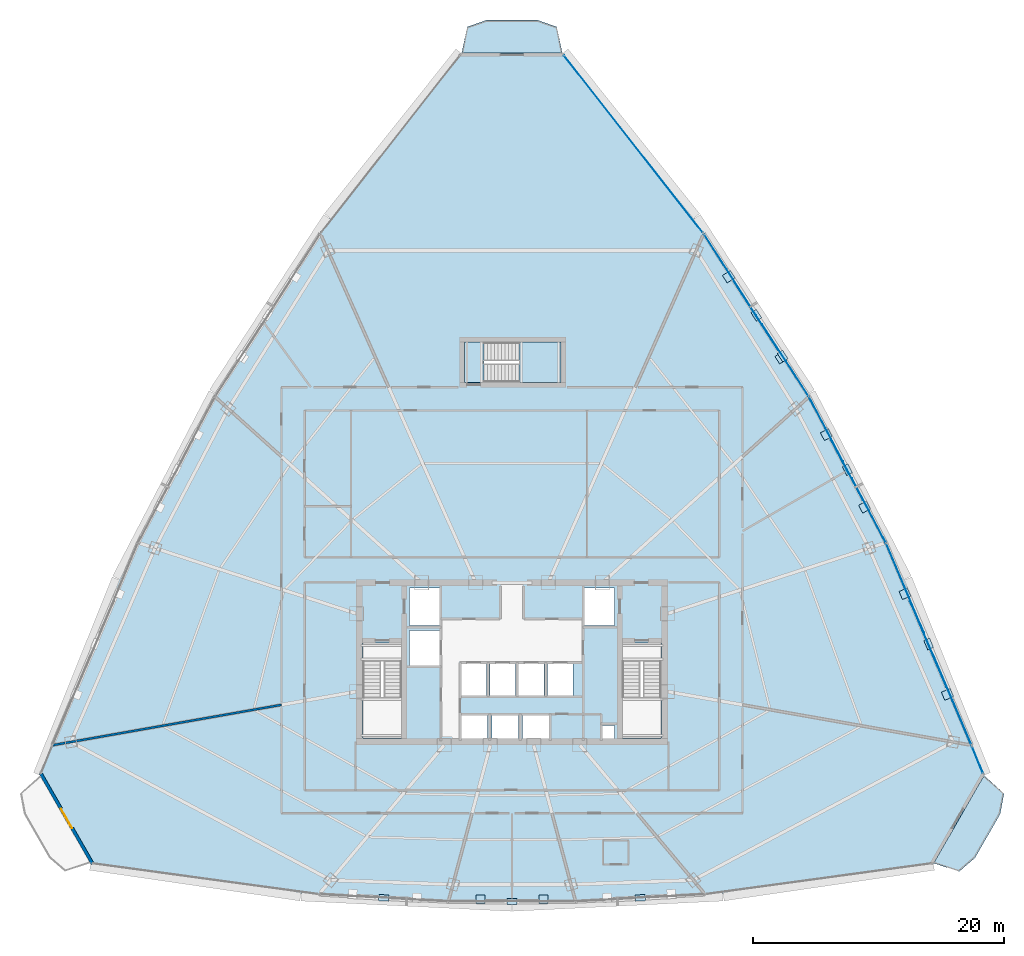
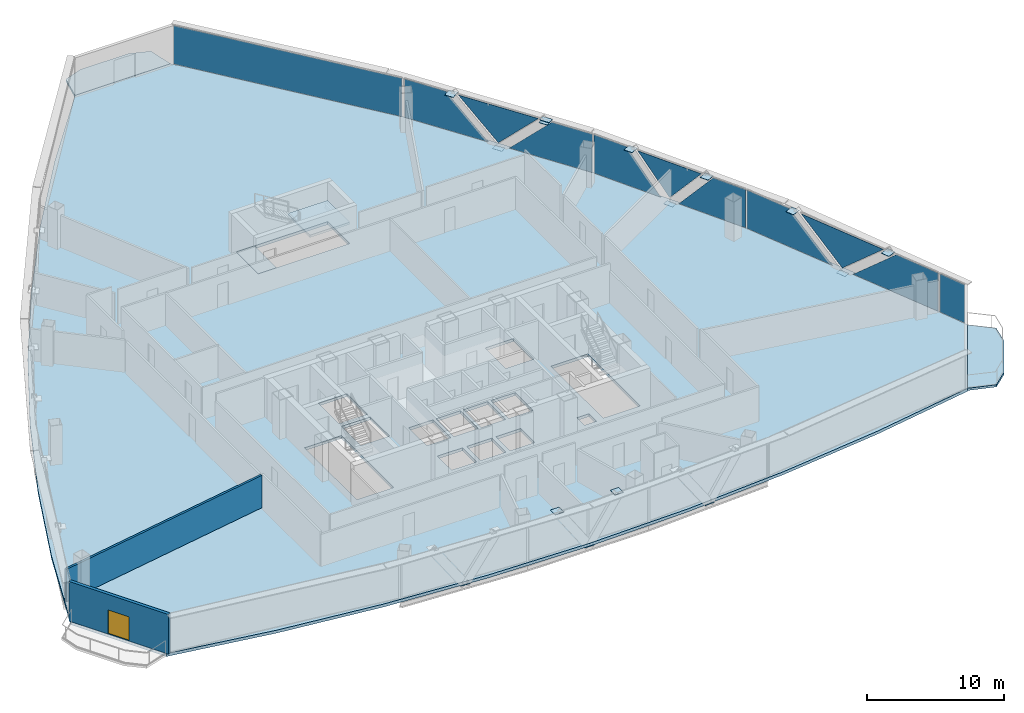
# One storey, part 28 of 36: 26 plates, 5 slabs, 2 walls, 1 door, 1 opening, 6 elements without a shape of their own.
"""IFC4 building model written with IfcOpenShell, lengths in metres."""

from ifc_helpers import new_model, si_unit, direction, frame, frame_2d, origin, origin_with_axes, origin_2d, place, context, subcontext, project, spatial, polyline, rectangle, outline, extrude, source, transform, mapped, material, layer, layer_set, type_object, element, fill, aggregate, save


model = new_model("IFC4")

# Units and contexts
model_context = context("Model", 3, precision=1e-05, world=origin(), true_north=direction((0.0, 1.0)))
body_context = subcontext(model_context, "Body", "Model", "MODEL_VIEW")
ifc_project = project(units=[si_unit("LENGTHUNIT", "METRE"), si_unit("AREAUNIT", "SQUARE_METRE"), si_unit("VOLUMEUNIT", "CUBIC_METRE"), si_unit("PLANEANGLEUNIT", "RADIAN"), si_unit("MASSUNIT", "GRAM", prefix="KILO"), si_unit("THERMODYNAMICTEMPERATUREUNIT", "KELVIN"), si_unit("POWERUNIT", "WATT")], contexts=[model_context])

# Site, building, storey
site_placement = place(None, origin())
site = spatial("IfcSite", under=ifc_project, at=site_placement, CompositionType="ELEMENT")
building_placement = place(site_placement, origin())
building = spatial("IfcBuilding", under=site, at=building_placement, Name="Yunzhuo Pagoda Commons", CompositionType="ELEMENT")
storey_placement = place(building_placement, frame((0.0, 0.0, 215.159912109375)))
storey = spatial("IfcBuildingStorey", under=building, at=storey_placement, Name="L54", CompositionType="ELEMENT", Elevation=215.159912109375)

# Curtain wall, plates
ifc_material_1 = material(Name="Anodized aluminium 6063-T6", Category="aluminium")
ifc_layer_1 = layer(ifc_material_1, 0.14990234375)
ifc_layer_set_1 = layer_set([ifc_layer_1], Name="Anodized aluminium 6063-T6")
curtain_wall_type = type_object("IfcCurtainWallType", Name="CW-MID Mid-Zone Ribbon Curtain Wall", PredefinedType="NOTDEFINED", material=ifc_layer_set_1)
curtain_wall_1_placement = place(storey_placement, origin())
curtain_wall_1 = element("IfcCurtainWall", 1, at=curtain_wall_1_placement, inside=storey, type_object=curtain_wall_type, Name="L54 curtain wall CW-L54-F2B2", PredefinedType="NOTDEFINED")
ifc_material_2 = material(Name="Tempered low-e double glazing", Category="glass")
ifc_layer_2 = layer(ifc_material_2, 0.028076171875)
ifc_layer_set_2 = layer_set([ifc_layer_2], Name="Tempered low-e double glazing")
plate_type_1 = type_object("IfcPlateType", Name="CW-MID-P Low-E Double Glazing 28", PredefinedType="CURTAIN_PANEL", material=ifc_layer_set_2)
plate_1_placement = place(storey_placement, frame((83.1259765625, 30.859619140625, 1.760009765625), z_axis=(0.920979205321, 0.389611734123, 0.0), x_axis=(-0.389611734123, 0.920979205321, 0.0)))
plate_1 = element("IfcPlate", 2, at=plate_1_placement, type_object=plate_type_1, Name="CW panel 1.1 lite 1", PredefinedType="CURTAIN_PANEL", context=body_context, shape_type="SweptSolid", body=[
    extrude(outline(polyline([(-3.88330078125, -1.705078125), (3.88330078125, -1.705078125), (-0.07470703125, 1.705078125), (-3.88330078125, 1.705078125), (-3.88330078125, -1.705078125)])), origin(), (0.0, 0.0, 1.0), 0.028076171875),
])
plate_2_placement = place(storey_placement, frame((81.216064453125, 35.297119140625, 1.853271484375), z_axis=(0.920979205321, 0.389611734123, 0.0), x_axis=(-0.389611734123, 0.920979205321, 0.0)))
plate_2 = element("IfcPlate", 3, at=plate_2_placement, type_object=plate_type_1, Name="CW panel 1.1 lite 2", PredefinedType="CURTAIN_PANEL", context=body_context, shape_type="SweptSolid", body=[
    extrude(outline(polyline([(-3.7412109375, 1.61181640625), (0.0, -1.61181640625), (3.7412109375, 1.61181640625), (-3.7412109375, 1.61181640625)])), origin(), (0.0, 0.0, 1.0), 0.028076171875),
])
plate_3_placement = place(storey_placement, frame((79.361572265625, 39.758056640625, 1.760009765625), z_axis=(0.920979205321, 0.389611734123, 0.0), x_axis=(-0.389611734123, 0.920979205321, 0.0)))
plate_3 = element("IfcPlate", 4, at=plate_3_placement, type_object=plate_type_1, Name="CW panel 1.1 lite 3", PredefinedType="CURTAIN_PANEL", context=body_context, shape_type="SweptSolid", body=[
    extrude(outline(polyline([(-3.88330078125, -1.705078125), (3.88330078125, -1.705078125), (3.88330078125, 1.705078125), (0.074462890625, 1.705078125), (-3.88330078125, -1.705078125)])), origin(), (0.0, 0.0, 1.0), 0.028076171875),
])
aggregate(curtain_wall_1, [plate_1, plate_2, plate_3])

curtain_wall_2_placement = place(storey_placement, origin())
curtain_wall_2 = element("IfcCurtainWall", 5, at=curtain_wall_2_placement, inside=storey, type_object=curtain_wall_type, Name="L54 curtain wall CW-L54-F2B3", PredefinedType="NOTDEFINED")
plate_4_placement = place(storey_placement, frame((76.458984375, 45.982421875, 1.760009765625), z_axis=(0.884704570243, 0.466152146184, 0.0), x_axis=(-0.466152146184, 0.884704570243, 0.0)))
plate_4 = element("IfcPlate", 6, at=plate_4_placement, type_object=plate_type_1, Name="CW panel 1.1 lite 1", PredefinedType="CURTAIN_PANEL", context=body_context, shape_type="SweptSolid", body=[
    extrude(outline(polyline([(-2.8720703125, -1.705078125), (2.8720703125, -1.705078125), (-0.0966796875, 1.705078125), (-2.8720703125, 1.705078125), (-2.8720703125, -1.705078125)])), origin(), (0.0, 0.0, 1.0), 0.028076171875),
])
plate_5_placement = place(storey_placement, frame((74.73095703125, 49.197509765625, 1.89208984375), z_axis=(0.884704570243, 0.466152146184, 0.0), x_axis=(-0.466152146184, 0.884704570243, 0.0)))
plate_5 = element("IfcPlate", 7, at=plate_5_placement, type_object=plate_type_1, Name="CW panel 1.1 lite 2", PredefinedType="CURTAIN_PANEL", context=body_context, shape_type="SweptSolid", body=[
    extrude(outline(polyline([(-2.7392578125, 1.572998046875), (0.0, -1.572998046875), (2.7392578125, 1.572998046875), (-2.7392578125, 1.572998046875)])), origin(), (0.0, 0.0, 1.0), 0.028076171875),
])
plate_6_placement = place(storey_placement, frame((73.05615234375, 52.440673828125, 1.760009765625), z_axis=(0.884704570243, 0.466152146184, 0.0), x_axis=(-0.466152146184, 0.884704570243, 0.0)))
plate_6 = element("IfcPlate", 8, at=plate_6_placement, type_object=plate_type_1, Name="CW panel 1.1 lite 3", PredefinedType="CURTAIN_PANEL", context=body_context, shape_type="SweptSolid", body=[
    extrude(outline(polyline([(-2.8720703125, -1.705078125), (2.8720703125, -1.705078125), (2.8720703125, 1.705078125), (0.096923828125, 1.705078125), (-2.8720703125, -1.705078125)])), origin(), (0.0, 0.0, 1.0), 0.028076171875),
])
aggregate(curtain_wall_2, [plate_4, plate_5, plate_6])

curtain_wall_3_placement = place(storey_placement, origin())
curtain_wall_3 = element("IfcCurtainWall", 9, at=curtain_wall_3_placement, inside=storey, type_object=curtain_wall_type, Name="L54 curtain wall CW-L54-F2B4", PredefinedType="NOTDEFINED")
plate_7_placement = place(storey_placement, frame((69.807861328125, 57.94921875, 1.760009765625), z_axis=(0.840138139518, 0.542372479508, 0.0), x_axis=(-0.542372479508, 0.840138139518, 0.0)))
plate_7 = element("IfcPlate", 10, at=plate_7_placement, type_object=plate_type_1, Name="CW panel 1.1 lite 1", PredefinedType="CURTAIN_PANEL", context=body_context, shape_type="SweptSolid", body=[
    extrude(outline(polyline([(-3.410400390625, -1.705078125), (3.410400390625, -1.705078125), (-0.084228515625, 1.705078125), (-3.410400390625, 1.705078125), (-3.410400390625, -1.705078125)])), origin(), (0.0, 0.0, 1.0), 0.028076171875),
])
plate_8_placement = place(storey_placement, frame((67.462890625, 61.5263671875, 1.8681640625), z_axis=(0.840138139518, 0.542372479508, 0.0), x_axis=(-0.542372479508, 0.840138139518, 0.0)))
plate_8 = element("IfcPlate", 11, at=plate_8_placement, type_object=plate_type_1, Name="CW panel 1.1 lite 2", PredefinedType="CURTAIN_PANEL", context=body_context, shape_type="SweptSolid", body=[
    extrude(outline(polyline([(-3.273193359375, 1.596923828125), (0.0, -1.596923828125), (3.273193359375, 1.596923828125), (-3.273193359375, 1.596923828125)])), origin(), (0.0, 0.0, 1.0), 0.028076171875),
])
plate_9_placement = place(storey_placement, frame((65.168212890625, 65.135986328125, 1.760009765625), z_axis=(0.840138139518, 0.542372479508, 0.0), x_axis=(-0.542372479508, 0.840138139518, 0.0)))
plate_9 = element("IfcPlate", 12, at=plate_9_placement, type_object=plate_type_1, Name="CW panel 1.1 lite 3", PredefinedType="CURTAIN_PANEL", context=body_context, shape_type="SweptSolid", body=[
    extrude(outline(polyline([(-3.410400390625, -1.705078125), (3.410400390625, -1.705078125), (3.410400390625, 1.705078125), (0.084228515625, 1.705078125), (-3.410400390625, -1.705078125)])), origin(), (0.0, 0.0, 1.0), 0.028076171875),
])
aggregate(curtain_wall_3, [plate_7, plate_8, plate_9])

# Slabs
ifc_material_3 = material(Name="Concrete C40", Category="concrete")
ifc_layer_3 = layer(ifc_material_3, 0.199951171875)
ifc_layer_set_3 = layer_set([ifc_layer_3], Name="Concrete C40")
slab_type_1 = type_object("IfcSlabType", Name="SL-BAL Vertex Balcony Deck Slab 200", PredefinedType="FLOOR", material=ifc_layer_set_3)
slab_1_placement = place(storey_placement, frame((0.0, 0.0, -0.199951171875)))
element("IfcSlab", 13, at=slab_1_placement, inside=storey, type_object=slab_type_1, Name="L54 corner balcony V2", PredefinedType="FLOOR", context=body_context, shape_type="SweptSolid", body=[
    extrude(outline(polyline([(81.6572265625, 17.8125), (85.677001953125, 24.81298828125), (87.269775390625, 23.379638671875), (86.9658203125, 21.745849609375), (84.9560546875, 18.24560546875), (83.6982421875, 17.159423828125), (81.6572265625, 17.8125)])), origin(), (0.0, 0.0, 1.0), 0.199951171875),
])
slab_2_placement = place(storey_placement, frame((0.0, 0.0, -0.199951171875)))
element("IfcSlab", 14, at=slab_2_placement, inside=storey, type_object=slab_type_1, Name="L54 corner balcony V3", PredefinedType="FLOOR", context=body_context, shape_type="SweptSolid", body=[
    extrude(outline(polyline([(52.01953125, 82.4716796875), (43.98046875, 82.4716796875), (44.430419921875, 84.566650390625), (45.990234375, 85.11669921875), (50.009765625, 85.11669921875), (51.569580078125, 84.566650390625), (52.01953125, 82.4716796875)])), origin(), (0.0, 0.0, 1.0), 0.199951171875),
])

# Stair, slabs
stair_type = type_object("IfcStairType", Name="ST-C3 North Tower Smokeproof Stair ST3", PredefinedType="HALF_TURN_STAIR", material=ifc_material_3)
stair_placement = place(storey_placement, origin())
stair = element("IfcStair", 15, at=stair_placement, inside=storey, type_object=stair_type, Name="L54 North tower smokeproof stair ST3", PredefinedType="HALF_TURN_STAIR")
ifc_layer_4 = layer(ifc_material_3, 0.2041015625)
ifc_layer_set_4 = layer_set([ifc_layer_4], Name="Concrete C40")
slab_type_2 = type_object("IfcSlabType", Name="SL-LND5 North Landing Slab 204", PredefinedType="LANDING", material=ifc_layer_set_4)
slab_3_placement = place(storey_placement, frame((0.0, 0.0, 1.7001953125)))
slab_3 = element("IfcSlab", 16, at=slab_3_placement, type_object=slab_type_2, Name="ST3 landing 1", PredefinedType="LANDING", context=body_context, shape_type="SweptSolid", body=[
    extrude(outline(polyline([(48.550048828125, 56.199951171875), (51.89990234375, 56.199951171875), (51.89990234375, 59.39990234375), (48.550048828125, 59.39990234375), (48.550048828125, 56.199951171875)])), origin(), (0.0, 0.0, 1.0), 0.199951171875),
])
slab_4_placement = place(storey_placement, frame((0.0, 0.0, -0.199951171875)))
slab_4 = element("IfcSlab", 17, at=slab_4_placement, type_object=slab_type_2, Name="ST3 floor landing L54", PredefinedType="LANDING", context=body_context, shape_type="SweptSolid", body=[
    extrude(outline(polyline([(44.199951171875, 56.199951171875), (45.75, 56.199951171875), (45.75, 59.39990234375), (44.199951171875, 59.39990234375), (44.199951171875, 56.199951171875)])), origin(), (0.0, 0.0, 1.0), 0.199951171875),
])
aggregate(stair, [slab_3, slab_4])

# Slab
ifc_layer_5 = layer(ifc_material_3, 0.260009765625)
ifc_layer_set_5 = layer_set([ifc_layer_5], Name="Concrete C40")
slab_type_3 = type_object("IfcSlabType", Name="SL-TWR Typical Tower Floor Slab 260", PredefinedType="FLOOR", material=ifc_layer_set_5)
slab_5_placement = place(storey_placement, frame((0.0, 0.0, -0.260009765625)))
element("IfcSlab", 18, at=slab_5_placement, inside=storey, type_object=slab_type_3, Name="L54 structural floor slab", PredefinedType="FLOOR", context=body_context, shape_type="SweptSolid", body=[
    extrude(outline(polyline([(13.29638671875, 32.744384765625), (16.619140625, 40.466796875), (20.29541015625, 47.982666015625), (24.325439453125, 55.292236328125), (28.708740234375, 62.3955078125), (33.44580078125, 69.292236328125), (38.536376953125, 75.982666015625), (43.98046875, 82.466796875), (52.01953125, 82.466796875), (57.463623046875, 75.982666015625), (62.55419921875, 69.292236328125), (67.291259765625, 62.3955078125), (71.674560546875, 55.292236328125), (75.70458984375, 47.982666015625), (79.380859375, 40.466796875), (82.70361328125, 32.744384765625), (85.672607421875, 24.8154296875), (81.653076171875, 17.81494140625), (73.23974609375, 16.382080078125), (64.826416015625, 15.3583984375), (56.413330078125, 14.744384765625), (48.0, 14.539794921875), (39.5869140625, 14.744384765625), (31.173583984375, 15.3583984375), (22.76025390625, 16.382080078125), (14.346923828125, 17.81494140625), (10.327392578125, 24.8154296875), (13.29638671875, 32.744384765625)]), holes=[polyline([(46.050048828125, 29.64990234375), (43.949951171875, 29.64990234375), (43.949951171875, 27.60009765625), (46.050048828125, 27.60009765625), (46.050048828125, 29.64990234375)]), polyline([(48.5, 27.60009765625), (48.5, 29.64990234375), (46.39990234375, 29.64990234375), (46.39990234375, 27.60009765625), (48.5, 27.60009765625)]), polyline([(36.10009765625, 27.800048828125), (39.199951171875, 27.800048828125), (39.199951171875, 35.39990234375), (36.10009765625, 35.39990234375), (36.10009765625, 27.800048828125)]), polyline([(45.969970703125, 31.199951171875), (45.969970703125, 33.800048828125), (43.929931640625, 33.800048828125), (43.929931640625, 31.199951171875), (45.969970703125, 31.199951171875)]), polyline([(48.27001953125, 31.199951171875), (48.27001953125, 33.800048828125), (46.22998046875, 33.800048828125), (46.22998046875, 31.199951171875), (48.27001953125, 31.199951171875)]), polyline([(42.199951171875, 33.60009765625), (42.199951171875, 36.39990234375), (39.800048828125, 36.39990234375), (39.800048828125, 33.60009765625), (42.199951171875, 33.60009765625)]), polyline([(42.199951171875, 36.800048828125), (42.199951171875, 39.800048828125), (39.800048828125, 39.800048828125), (39.800048828125, 36.800048828125), (42.199951171875, 36.800048828125)]), polyline([(56.179931640625, 28.800048828125), (55.179931640625, 28.800048828125), (55.179931640625, 27.699951171875), (56.179931640625, 27.699951171875), (56.179931640625, 28.800048828125)]), polyline([(50.949951171875, 27.60009765625), (50.949951171875, 29.64990234375), (48.85009765625, 29.64990234375), (48.85009765625, 27.60009765625), (50.949951171875, 27.60009765625)]), polyline([(56.800048828125, 27.800048828125), (59.89990234375, 27.800048828125), (59.89990234375, 35.39990234375), (56.800048828125, 35.39990234375), (56.800048828125, 27.800048828125)]), polyline([(50.570068359375, 31.199951171875), (50.570068359375, 33.800048828125), (48.530029296875, 33.800048828125), (48.530029296875, 31.199951171875), (50.570068359375, 31.199951171875)]), polyline([(52.8701171875, 31.199951171875), (52.8701171875, 33.800048828125), (50.830078125, 33.800048828125), (50.830078125, 31.199951171875), (52.8701171875, 31.199951171875)]), polyline([(56.199951171875, 36.800048828125), (56.199951171875, 39.800048828125), (53.800048828125, 39.800048828125), (53.800048828125, 36.800048828125), (56.199951171875, 36.800048828125)]), polyline([(51.89990234375, 56.199951171875), (51.89990234375, 59.39990234375), (44.199951171875, 59.39990234375), (44.199951171875, 56.199951171875), (51.89990234375, 56.199951171875)])]), origin(), (0.0, 0.0, 1.0), 0.260009765625),
])

# Plates
ifc_material_4 = material(Name="Structural steel Q355B", Category="steel")
ifc_layer_6 = layer(ifc_material_4, 0.028076171875)
ifc_layer_set_6 = layer_set([ifc_layer_6], Name="Structural steel Q355B")
plate_type_2 = type_object("IfcPlateType", Name="SP-ND1 Lattice Node Cap Plate 800x500x28", PredefinedType="USERDEFINED", material=ifc_layer_set_6)
shared_shape_1 = source(origin(), body_context, "Body", "SweptSolid", [
    extrude(rectangle(XDim=0.800048828125, YDim=0.5, at=origin_2d()), origin(), (0.0, 0.0, 1.0), 0.028076171875),
])
for number, where, z_axis, x_axis, name in (
    (19, (37.758056640625, 15.04833984375, -0.27392578125), (0.0, 0.0, 1.0), (0.998450491665, -0.055647243357, 0.0), "L54 diamond node plate F1.1A"),
    (20, (48.0, 14.760498046875, -0.27392578125), (0.0, 0.0, 1.0), (1.0, 0.0, 0.0), "L54 diamond node plate F1.2A"),
    (21, (58.241943359375, 15.04833984375, -0.27392578125), (0.0, 0.0, 1.0), (0.998450491665, 0.055647243357, 0.0), "L54 diamond node plate F1.3A"),
    (22, (81.256591796875, 35.314208984375, -0.27392578125), (0.0, 0.0, 1.0), (-0.389606228328, 0.920981534477, 0.0), "L54 diamond node plate F2.1A"),
    (23, (74.77001953125, 49.218017578125, -0.27392578125), (0.0, 0.0, 1.0), (-0.466155041602, 0.884703044636, 0.0), "L54 diamond node plate F2.2A"),
    (24, (67.499755859375, 61.55029296875, -0.27392578125), (0.0, 0.0, 1.0), (-0.542368222605, 0.840140887654, 0.0), "L54 diamond node plate F2.3A"),
):
    element("IfcPlate", number, at=place(storey_placement, frame(where, z_axis=z_axis, x_axis=x_axis)), inside=storey, type_object=plate_type_2, Name=name, ObjectType="STIFFENER_PLATE", PredefinedType="USERDEFINED", context=body_context, shape_type="MappedRepresentation", body=[
        mapped(shared_shape_1, transform((0.0, 0.0, 0.0), scale=1.0)),
    ])
ifc_layer_7 = layer(ifc_material_4, 0.028076171875)
ifc_layer_set_7 = layer_set([ifc_layer_7], Name="Structural steel Q355B")
plate_type_3 = type_object("IfcPlateType", Name="EP-DL1 Diamond Brace End Plate 800x500x28", PredefinedType="USERDEFINED", material=ifc_layer_set_7)
plate_10_placement = place(storey_placement, frame((69.600830078125, 58.295654296875, 3.51806640625), z_axis=(0.0, 0.0, 1.0), x_axis=(-0.542368222605, 0.840140887654, 0.0)))
element("IfcPlate", 25, at=plate_10_placement, inside=storey, type_object=plate_type_3, Name="L54 diamond brace end plate F2.3L", ObjectType="END_PLATE", PredefinedType="USERDEFINED", context=body_context, shape_type="MappedRepresentation", body=[
    mapped(shared_shape_1, transform((0.0, 0.0, 0.0), scale=1.0)),
])
shared_shape_2 = source(origin(), body_context, "Body", "SweptSolid", [
    extrude(rectangle(XDim=0.699951171875, YDim=0.690673828125, at=origin_2d()), origin(), (0.0, 0.0, 1.0), 0.035888671875),
])
for number, where, z_axis, x_axis, name in (
    (26, (45.485107421875, 14.92919921875, 3.48193359375), (0.0, 0.0, 1.0), (1.0, 0.0, 0.0), "L54 setback lattice tie plate F1.2L"),
    (27, (50.514892578125, 14.92919921875, 3.48193359375), (0.0, 0.0, 1.0), (1.0, 0.0, 0.0), "L54 setback lattice tie plate F1.2R"),
):
    element("IfcPlate", number, at=place(storey_placement, frame(where, z_axis=z_axis, x_axis=x_axis)), inside=storey, type_object=plate_type_2, Name=name, ObjectType="STIFFENER_PLATE", PredefinedType="USERDEFINED", context=body_context, shape_type="MappedRepresentation", body=[
        mapped(shared_shape_2, transform((0.0, 0.0, 0.0), scale=1.0)),
    ])
shared_shape_3 = source(origin(), body_context, "Body", "SweptSolid", [
    extrude(rectangle(XDim=0.699951171875, YDim=0.763427734375, at=origin_2d()), origin(), (0.0, 0.0, 1.0), 0.035888671875),
])
plate_11_placement = place(storey_placement, frame((82.760009765625, 31.288330078125, 3.48193359375), z_axis=(0.0, 0.0, 1.0), x_axis=(-0.389606228328, 0.920981534477, 0.0)))
element("IfcPlate", 28, at=plate_11_placement, inside=storey, type_object=plate_type_2, Name="L54 setback lattice tie plate F2.1L", ObjectType="STIFFENER_PLATE", PredefinedType="USERDEFINED", context=body_context, shape_type="MappedRepresentation", body=[
    mapped(shared_shape_3, transform((0.0, 0.0, 0.0), scale=1.0)),
])
shared_shape_4 = source(origin(), body_context, "Body", "SweptSolid", [
    extrude(rectangle(XDim=0.699951171875, YDim=0.72314453125, at=origin_2d()), origin(), (0.0, 0.0, 1.0), 0.035888671875),
])
plate_12_placement = place(storey_placement, frame((79.36376953125, 39.322021484375, 3.48193359375), z_axis=(0.0, 0.0, 1.0), x_axis=(-0.389606228328, 0.920981534477, 0.0)))
element("IfcPlate", 29, at=plate_12_placement, inside=storey, type_object=plate_type_2, Name="L54 setback lattice tie plate F2.1R", ObjectType="STIFFENER_PLATE", PredefinedType="USERDEFINED", context=body_context, shape_type="MappedRepresentation", body=[
    mapped(shared_shape_4, transform((0.0, 0.0, 0.0), scale=1.0)),
])
shared_shape_5 = source(origin(), body_context, "Body", "SweptSolid", [
    extrude(rectangle(XDim=0.699951171875, YDim=0.70703125, at=origin_2d()), origin(), (0.0, 0.0, 1.0), 0.035888671875),
])
plate_13_placement = place(storey_placement, frame((76.140869140625, 46.234130859375, 3.48193359375), z_axis=(0.0, 0.0, 1.0), x_axis=(-0.466155041602, 0.884703044636, 0.0)))
element("IfcPlate", 30, at=plate_13_placement, inside=storey, type_object=plate_type_2, Name="L54 setback lattice tie plate F2.2L", ObjectType="STIFFENER_PLATE", PredefinedType="USERDEFINED", context=body_context, shape_type="MappedRepresentation", body=[
    mapped(shared_shape_5, transform((0.0, 0.0, 0.0), scale=1.0)),
])
shared_shape_6 = source(origin(), body_context, "Body", "SweptSolid", [
    extrude(rectangle(XDim=0.699951171875, YDim=0.7080078125, at=origin_2d()), origin(), (0.0, 0.0, 1.0), 0.035888671875),
])
plate_14_placement = place(storey_placement, frame((73.09130859375, 52.024169921875, 3.48193359375), z_axis=(0.0, 0.0, 1.0), x_axis=(-0.466155041602, 0.884703044636, 0.0)))
element("IfcPlate", 31, at=plate_14_placement, inside=storey, type_object=plate_type_2, Name="L54 setback lattice tie plate F2.2R", ObjectType="STIFFENER_PLATE", PredefinedType="USERDEFINED", context=body_context, shape_type="MappedRepresentation", body=[
    mapped(shared_shape_6, transform((0.0, 0.0, 0.0), scale=1.0)),
])
shared_shape_7 = source(origin(), body_context, "Body", "SweptSolid", [
    extrude(rectangle(XDim=0.699951171875, YDim=0.72216796875, at=origin_2d()), origin(), (0.0, 0.0, 1.0), 0.035888671875),
])
plate_15_placement = place(storey_placement, frame((69.477783203125, 58.156005859375, 3.48193359375), z_axis=(0.0, 0.0, 1.0), x_axis=(-0.542368222605, 0.840140887654, 0.0)))
element("IfcPlate", 32, at=plate_15_placement, inside=storey, type_object=plate_type_2, Name="L54 setback lattice tie plate F2.3L", ObjectType="STIFFENER_PLATE", PredefinedType="USERDEFINED", context=body_context, shape_type="MappedRepresentation", body=[
    mapped(shared_shape_7, transform((0.0, 0.0, 0.0), scale=1.0)),
])
shared_shape_8 = source(origin(), body_context, "Body", "SweptSolid", [
    extrude(rectangle(XDim=0.699951171875, YDim=0.75146484375, at=origin_2d()), origin(), (0.0, 0.0, 1.0), 0.035888671875),
])
plate_16_placement = place(storey_placement, frame((65.300537109375, 64.629638671875, 3.48193359375), z_axis=(0.0, 0.0, 1.0), x_axis=(-0.542368222605, 0.840140887654, 0.0)))
element("IfcPlate", 33, at=plate_16_placement, inside=storey, type_object=plate_type_2, Name="L54 setback lattice tie plate F2.3R", ObjectType="STIFFENER_PLATE", PredefinedType="USERDEFINED", context=body_context, shape_type="MappedRepresentation", body=[
    mapped(shared_shape_8, transform((0.0, 0.0, 0.0), scale=1.0)),
])

# Curtain wall, plate
curtain_wall_4_placement = place(storey_placement, origin())
curtain_wall_4 = element("IfcCurtainWall", 34, at=curtain_wall_4_placement, inside=storey, type_object=curtain_wall_type, Name="L54 curtain wall CW-L54-F2B1", PredefinedType="NOTDEFINED")
shared_shape_9 = source(origin(), body_context, "Body", "SweptSolid", [
    extrude(rectangle(XDim=2.25927734375, YDim=0.028076171875, at=origin_2d()), origin(), (0.0, 0.0, 1.0), 3.409912109375),
])
plate_17_placement = place(storey_placement, frame((85.155517578125, 26.063232421875, 0.05517578125), z_axis=(0.0, 0.0, 1.0), x_axis=(-0.379679953183, 0.925117902297, 0.0)))
plate_17 = element("IfcPlate", 35, at=plate_17_placement, type_object=plate_type_1, Name="CW panel 1.1", PredefinedType="CURTAIN_PANEL", context=body_context, shape_type="MappedRepresentation", body=[
    mapped(shared_shape_9, transform((0.0, 0.0, 0.0), scale=1.0)),
])
aggregate(curtain_wall_4, [plate_17])

curtain_wall_5_placement = place(storey_placement, origin())
curtain_wall_5 = element("IfcCurtainWall", 36, at=curtain_wall_5_placement, inside=storey, type_object=curtain_wall_type, Name="L54 curtain wall CW-L54-F2B5", PredefinedType="NOTDEFINED")
shared_shape_10 = source(origin(), body_context, "Body", "SweptSolid", [
    extrude(rectangle(XDim=17.94091796875, YDim=0.028076171875, at=origin_2d()), origin(), (0.0, 0.0, 1.0), 3.409912109375),
])
plate_18_placement = place(storey_placement, frame((57.68310546875, 75.2275390625, 0.05517578125), z_axis=(0.0, 0.0, 1.0), x_axis=(-0.616633666547, 0.78725022787, 0.0)))
plate_18 = element("IfcPlate", 37, at=plate_18_placement, type_object=plate_type_1, Name="CW panel 1.1", PredefinedType="CURTAIN_PANEL", context=body_context, shape_type="MappedRepresentation", body=[
    mapped(shared_shape_10, transform((0.0, 0.0, 0.0), scale=1.0)),
])
aggregate(curtain_wall_5, [plate_18])

# Wall, opening, door
ifc_material_5 = material(Name="Precast concrete C40", Category="concrete")
ifc_layer_8 = layer(ifc_material_5, 0.260009765625)
ifc_layer_set_8 = layer_set([ifc_layer_8], Name="Precast concrete C40")
wall_type_1 = type_object("IfcWallType", Name="W-BAL1 Corner Balcony Threshold Wall 260", PredefinedType="STANDARD", material=ifc_layer_set_8)
wall_1_placement = place(storey_placement, frame((10.365478515625, 25.01025390625, 0.0), z_axis=(0.0, 0.0, 1.0), x_axis=(0.497934125263, -0.867214856249, 0.0)))
wall_1 = element("IfcWall", 38, at=wall_1_placement, inside=storey, type_object=wall_type_1, Name="L54 corner balcony wall V1", PredefinedType="STANDARD", context=body_context, shape_type="SweptSolid", body=[
    extrude(rectangle(XDim=8.37255859375, YDim=0.260009765625, at=frame_2d((4.186279296875, 0.0))), origin(), (0.0, 0.0, 1.0), 3.52001953125),
])
opening_placement = place(wall_1_placement, frame((3.286376953125, 0.0, 0.0)))
opening = element("IfcOpeningElement", 39, at=opening_placement, cuts=wall_1, Name="Opening D-BAL1", PredefinedType="OPENING", context=body_context, shape_type="SweptSolid", body=[
    extrude(rectangle(XDim=1.800048828125, YDim=2.14990234375, at=frame_2d((0.89990234375, 1.074951171875))), frame((0.0, 0.14013671875, 0.0), z_axis=(0.0, -1.0, 0.0), x_axis=(1.0, 0.0, 0.0)), (0.0, 0.0, 1.0), 0.280029296875),
])
ifc_material_6 = material(Name="Anodized aluminium frame and tempered glazed leaf", Category="aluminium")
door_type = type_object("IfcDoorType", Name="D-BAL1 Corner Balcony Sliding Glazed Door 1800x2150", OperationType="DOUBLE_DOOR_SLIDING", PredefinedType="DOOR", material=ifc_material_6)
shared_shape_11 = source(origin(), body_context, "Body", "SweptSolid", [
    extrude(rectangle(XDim=1.800048828125, YDim=2.14990234375, at=frame_2d((0.89990234375, 1.074951171875))), frame((0.0, 0.02490234375, 0.0), z_axis=(0.0, -1.0, 0.0), x_axis=(1.0, 0.0, 0.0)), (0.0, 0.0, 1.0), 0.050048828125),
])
door_placement = place(opening_placement, origin_with_axes())
door = element("IfcDoor", 40, at=door_placement, inside=storey, type_object=door_type, Name="L54 corner balcony sliding door V1", OperationType="DOUBLE_DOOR_SLIDING", OverallHeight=2.14990234375, OverallWidth=1.800048828125, PredefinedType="DOOR", context=body_context, shape_type="MappedRepresentation", body=[
    mapped(shared_shape_11, transform((0.0, 0.0, 0.0), scale=1.0)),
])
fill(opening, door)

# Wall
ifc_material_7 = material(Name="Gypsum plasterboard on acoustic stud")
ifc_layer_9 = layer(ifc_material_7, 0.175048828125)
ifc_layer_set_9 = layer_set([ifc_layer_9], Name="Gypsum plasterboard on acoustic stud")
wall_type_2 = type_object("IfcWallType", Name="W-PRT3 Mid-Zone Demising Wall 175", PredefinedType="PARTITIONING", material=ifc_layer_set_9)
wall_2_placement = place(storey_placement, frame((29.60009765625, 30.45556640625, 0.0), z_axis=(0.0, 0.0, 1.0), x_axis=(-0.984808051039, -0.173646487465, 0.0)))
element("IfcWall", 41, at=wall_2_placement, inside=storey, type_object=wall_type_2, Name="L54 interior wall IW-L54-RAD07", PredefinedType="PARTITIONING", context=body_context, shape_type="SweptSolid", body=[
    extrude(rectangle(XDim=18.557373046875, YDim=0.175048828125, at=frame_2d((9.27880859375, 0.0))), origin(), (0.0, 0.0, 1.0), 2.8701171875),
])

save(model, "model.ifc")
